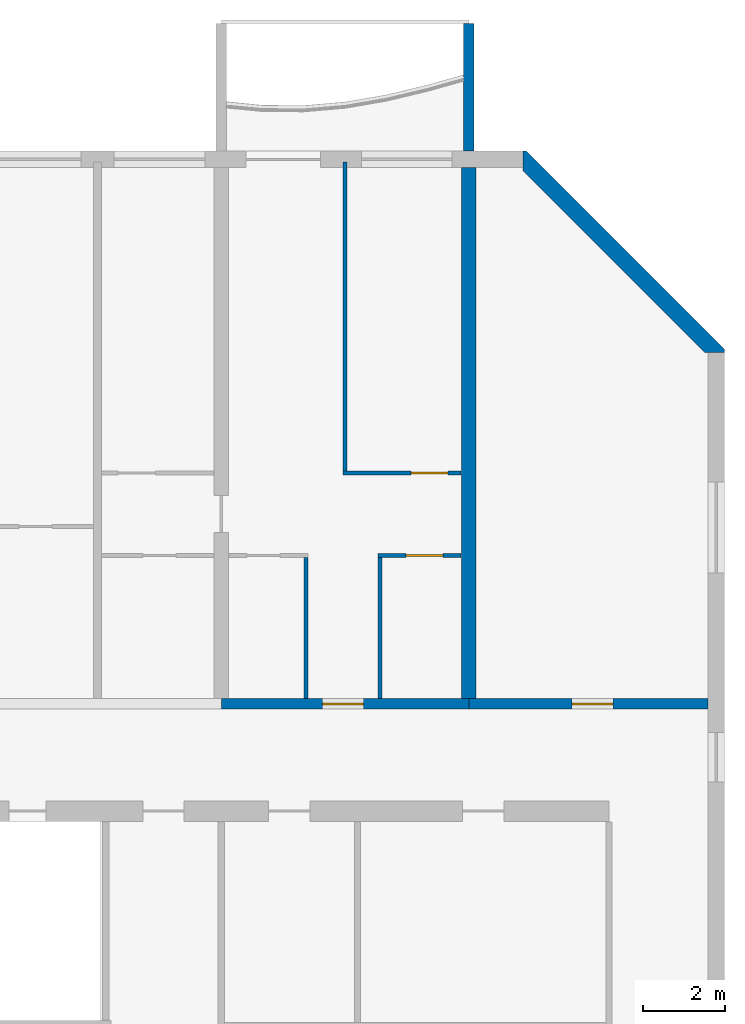
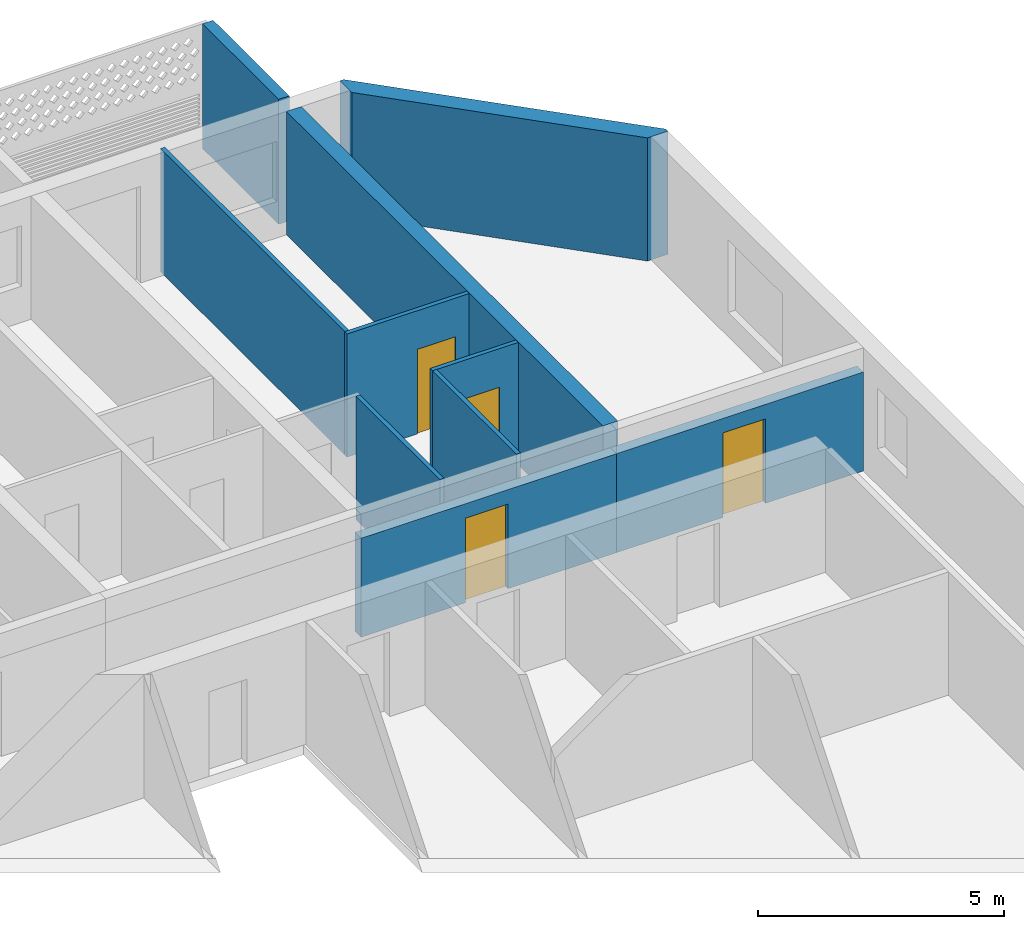
# One storey, part 16 of 25: 10 walls, 4 doors, 4 openings.
"""IFC4 building model written with IfcOpenShell, lengths in metres."""

import ifcopenshell
import ifcopenshell.guid

model = None  # the IFC model being written
_history = None  # IfcOwnerHistory: only IFC2X3 demands one
_inside = {}  # id of a spatial element -> (the spatial element, [elements in it])
_under = {}  # id of a project, library or spatial element -> (it, [spatial elements below it])
_declared = {}  # id of a project -> (the project, [libraries it declares])
_typed = {}  # id of a type object -> (the type object, [elements of that type])
_made_of = {}  # id of a material, layer set ... -> (it, [elements and type objects made of it])


def new_model(schema):
    """Start an empty IFC model of exactly this schema.

    Asked for "IFC4X3", IfcOpenShell would pick the latest addendum, in which some entities
    have other attributes; the version numbers below select the first issue.
    IFC2X3 requires an IfcOwnerHistory on every rooted entity: one is made here for all.
    """
    global model, _history
    if schema == "IFC4X3":
        model = ifcopenshell.file(schema_version=(4, 3, 0, 0))
    else:
        model = ifcopenshell.file(schema=schema)
    _inside.clear()
    _under.clear()
    _declared.clear()
    _typed.clear()
    _made_of.clear()
    _history = None
    if model.schema == "IFC2X3":
        org = make("IfcOrganization", Name="unknown")
        user = make(
            "IfcPersonAndOrganization",
            ThePerson=make("IfcPerson", FamilyName="unknown"),
            TheOrganization=org,
        )
        app = make(
            "IfcApplication",
            ApplicationDeveloper=org,
            Version="unknown",
            ApplicationFullName="unknown",
            ApplicationIdentifier="unknown",
        )
        _history = make(
            "IfcOwnerHistory",
            OwningUser=user,
            OwningApplication=app,
            ChangeAction="ADDED",
            CreationDate=0,
        )
    return model


def make(cls, **values):
    """One entity of the class cls with the attributes given. An attribute that is None is left unset."""
    return model.create_entity(
        cls, **{name: value for name, value in values.items() if value is not None}
    )


def rooted(cls, **values):
    """An entity with a GlobalId (a new one), such as an element, a storey or a relation."""
    return make(cls, GlobalId=ifcopenshell.guid.new(), OwnerHistory=_history, **values)


def si_unit(unit_type, name, prefix=None):
    """IfcSIUnit, for example si_unit("LENGTHUNIT", "METRE", prefix="MILLI")."""
    return make("IfcSIUnit", UnitType=unit_type, Prefix=prefix, Name=name)


def assignment(units):
    """IfcUnitAssignment: the units of a project."""
    return None if units is None else make("IfcUnitAssignment", Units=units)


def point(xyz):
    """IfcCartesianPoint."""
    return None if xyz is None else make("IfcCartesianPoint", Coordinates=xyz)


def direction(xyz):
    """IfcDirection."""
    return None if xyz is None else make("IfcDirection", DirectionRatios=xyz)


def frame(location, z_axis=None, x_axis=None):
    """IfcAxis2Placement3D, a coordinate frame: its origin and axes. An axis left out is left unset."""
    return make(
        "IfcAxis2Placement3D",
        Location=point(location),
        Axis=direction(z_axis),
        RefDirection=direction(x_axis),
    )


def frame_2d(location, x_axis=None):
    """IfcAxis2Placement2D, a coordinate frame in the plane: its origin and x axis."""
    return make(
        "IfcAxis2Placement2D", Location=point(location), RefDirection=direction(x_axis)
    )


def origin():
    """The frame at (0, 0, 0) with its axes left unset."""
    return frame((0.0, 0.0, 0.0))


def place(relative_to, where):
    """IfcLocalPlacement: puts the frame where relative to a parent placement (None: the world)."""
    return make(
        "IfcLocalPlacement", PlacementRelTo=relative_to, RelativePlacement=where
    )


def context(
    kind, dimensions, precision=None, world=None, true_north=None, identifier=None
):
    """IfcGeometricRepresentationContext, for example the 3D "Model" context."""
    return make(
        "IfcGeometricRepresentationContext",
        ContextIdentifier=identifier,
        ContextType=kind,
        CoordinateSpaceDimension=dimensions,
        Precision=precision,
        WorldCoordinateSystem=world,
        TrueNorth=true_north,
    )


def subcontext(parent, identifier, kind, view, scale=None):
    """IfcGeometricRepresentationSubContext, for example "Body" below "Model"."""
    return make(
        "IfcGeometricRepresentationSubContext",
        ContextIdentifier=identifier,
        ContextType=kind,
        ParentContext=parent,
        TargetScale=scale,
        TargetView=view,
    )


def project(units=None, contexts=None):
    """IfcProject with its units and contexts."""
    return rooted(
        "IfcProject",
        Name="project",
        RepresentationContexts=contexts,
        UnitsInContext=assignment(units),
    )


def spatial(cls, under=None, at=None, **own):
    """A site, building, storey or space (cls), placed at a placement, below another one or the project."""
    s = rooted(cls, ObjectPlacement=at, **own)
    if under is not None:
        _under.setdefault(under.id(), (under, []))[1].append(s)
    return s


def polyline(points):
    """IfcPolyline through the points."""
    return make("IfcPolyline", Points=[point(p) for p in points])


def profile(cls, at=None, kind="AREA", **sizes):
    """A parametric profile (cls). Its sizes go by their IFC names, for example OverallWidth=200.0."""
    return make(cls, ProfileType=kind, Position=at, **sizes)


def rectangle(**sizes):
    """IfcRectangleProfileDef."""
    return profile("IfcRectangleProfileDef", **sizes)


def outline(outer, holes=None, kind="AREA"):
    """IfcArbitraryClosedProfileDef: a profile drawn as a closed curve; with holes, ...WithVoids."""
    if holes is None:
        return make("IfcArbitraryClosedProfileDef", ProfileType=kind, OuterCurve=outer)
    return make(
        "IfcArbitraryProfileDefWithVoids",
        ProfileType=kind,
        OuterCurve=outer,
        InnerCurves=holes,
    )


def extrude(swept, where, along, depth):
    """IfcExtrudedAreaSolid: the profile swept, set in the frame where, extruded along a direction by depth."""
    return make(
        "IfcExtrudedAreaSolid",
        SweptArea=swept,
        Position=where,
        ExtrudedDirection=direction(along),
        Depth=depth,
    )


def shape(context_of_items, identifier, shape_type, items):
    """IfcShapeRepresentation: the items that make up one representation, for example the "Body"."""
    return make(
        "IfcShapeRepresentation",
        ContextOfItems=context_of_items,
        RepresentationIdentifier=identifier,
        RepresentationType=shape_type,
        Items=items,
    )


def source(mapping_origin, context_of_items, identifier, shape_type, items):
    """IfcRepresentationMap: a shape defined once, which mapped items show again and again."""
    return make(
        "IfcRepresentationMap",
        MappingOrigin=mapping_origin,
        MappedRepresentation=shape(context_of_items, identifier, shape_type, items),
    )


def transform(
    local_origin,
    x_axis=None,
    y_axis=None,
    z_axis=None,
    scale=None,
    scale2=None,
    scale3=None,
    uniform=True,
):
    """IfcCartesianTransformationOperator3D, or its non-uniform kind. x_axis, y_axis, z_axis: its Axis1, 2, 3."""
    if uniform:
        return make(
            "IfcCartesianTransformationOperator3D",
            Axis1=direction(x_axis),
            Axis2=direction(y_axis),
            LocalOrigin=point(local_origin),
            Scale=scale,
            Axis3=direction(z_axis),
        )
    return make(
        "IfcCartesianTransformationOperator3DnonUniform",
        Axis1=direction(x_axis),
        Axis2=direction(y_axis),
        LocalOrigin=point(local_origin),
        Scale=scale,
        Axis3=direction(z_axis),
        Scale2=scale2,
        Scale3=scale3,
    )


def mapped(mapping_source, mapping_target):
    """IfcMappedItem: shows the shape of a source again, moved by a transform."""
    return make(
        "IfcMappedItem", MappingSource=mapping_source, MappingTarget=mapping_target
    )


def material(Name=None, Category=None):
    """IfcMaterial."""
    return make("IfcMaterial", Name=Name, Category=Category)


def layer(
    of_material, thickness, ventilated=None, Name=None, Category=None, Priority=None
):
    """IfcMaterialLayer: one layer of a wall or slab, of a material (None: an air gap)."""
    return make(
        "IfcMaterialLayer",
        Material=of_material,
        LayerThickness=thickness,
        IsVentilated=ventilated,
        Name=Name,
        Category=Category,
        Priority=Priority,
    )


def layer_set(layers, Name=None):
    """IfcMaterialLayerSet."""
    return make("IfcMaterialLayerSet", MaterialLayers=layers, LayerSetName=Name)


def made_of(thing, what):
    """Note that an element or type object is made of a material, layer set ...; save() writes the relation."""
    if what is not None:
        _made_of.setdefault(what.id(), (what, []))[1].append(thing)
    return thing


def type_object(cls, material=None, **own):
    """A type object (cls), such as IfcWallType, which elements share."""
    return made_of(rooted(cls, **own), material)


def element(
    cls,
    number,
    at=None,
    inside=None,
    cuts=None,
    type_object=None,
    material=None,
    context=None,
    identifier="Body",
    shape_type=None,
    held_by="IfcProductDefinitionShape",
    body=None,
    shapes=None,
    **own,
):
    """One element of the class cls, such as IfcWall. Its Tag is "e" and its number.

    at: its placement. inside: the storey or other place that contains it. cuts: it is an
    opening in that element (IfcRelVoidsElement). A single representation is given by context,
    identifier, shape_type and body (its items); several are given by shapes. held_by: the class
    of the entity that holds the representations. save() writes the other relations.
    """
    e = rooted(cls, Tag="e%d" % number, ObjectPlacement=at, **own)
    if body is not None:
        shapes = [shape(context, identifier, shape_type, body)]
    if shapes is not None:
        e.Representation = make(held_by, Representations=shapes)
    if inside is not None:
        _inside.setdefault(inside.id(), (inside, []))[1].append(e)
    if cuts is not None:
        rooted(
            "IfcRelVoidsElement", RelatingBuildingElement=cuts, RelatedOpeningElement=e
        )
    if type_object is not None:
        _typed.setdefault(type_object.id(), (type_object, []))[1].append(e)
    return made_of(e, material)


def fill(opening, filler):
    """IfcRelFillsElement: the door or window that sits in an opening."""
    return rooted(
        "IfcRelFillsElement",
        RelatingOpeningElement=opening,
        RelatedBuildingElement=filler,
    )


def aggregate(whole, parts):
    """IfcRelAggregates: a whole, such as a stair, and the parts it consists of."""
    return rooted("IfcRelAggregates", RelatingObject=whole, RelatedObjects=parts)


def save(model, path):
    """Write the relations noted so far, then the file.

    IfcRelAggregates (storeys below a building ...), IfcRelContainedInSpatialStructure (elements
    in a storey), IfcRelDefinesByType, IfcRelAssociatesMaterial and IfcRelDeclares: one each for
    every whole, place, type object, material and project.
    """
    for whole, parts in _under.values():
        aggregate(whole, parts)
    for where, things in _inside.values():
        rooted(
            "IfcRelContainedInSpatialStructure",
            RelatedElements=things,
            RelatingStructure=where,
        )
    for kind, things in _typed.values():
        rooted("IfcRelDefinesByType", RelatedObjects=things, RelatingType=kind)
    for what, things in _made_of.values():
        rooted("IfcRelAssociatesMaterial", RelatedObjects=things, RelatingMaterial=what)
    for by, libraries in _declared.values():
        rooted("IfcRelDeclares", RelatingContext=by, RelatedDefinitions=libraries)
    model.write(path)


model = new_model("IFC4")

# Units and contexts
model_context = context("Model", 3, precision=1e-05, world=origin(), true_north=direction((0.0, 1.0)))
body_context = subcontext(model_context, "Body", "Model", "MODEL_VIEW")
ifc_project = project(units=[si_unit("LENGTHUNIT", "METRE"), si_unit("AREAUNIT", "SQUARE_METRE"), si_unit("VOLUMEUNIT", "CUBIC_METRE"), si_unit("PLANEANGLEUNIT", "RADIAN"), si_unit("MASSUNIT", "GRAM", prefix="KILO")], contexts=[model_context])

# Site, building, storey
site_placement = place(None, origin())
site = spatial("IfcSite", under=ifc_project, at=site_placement, CompositionType="ELEMENT")
building_placement = place(site_placement, origin())
building = spatial("IfcBuilding", under=site, at=building_placement, Name="Poui Terraces", CompositionType="ELEMENT")
storey_placement = place(building_placement, frame((0.0, 0.0, 89.39990234375)))
storey = spatial("IfcBuildingStorey", under=building, at=storey_placement, Name="L24", CompositionType="ELEMENT", Elevation=89.39990234375)

# Wall, opening, door
ifc_material_1 = material(Name="Concrete 65 MPa", Category="concrete")
ifc_layer_1 = layer(ifc_material_1, 0.25)
ifc_layer_set_1 = layer_set([ifc_layer_1], Name="Concrete 65 MPa")
wall_type_1 = type_object("IfcWallType", Name="CORRIDOR WALL 250 65MPa", PredefinedType="SHEAR", material=ifc_layer_set_1)
wall_1_placement = place(storey_placement, frame((84.0, 30.39990234375, 0.0), z_axis=(0.0, 0.0, 1.0), x_axis=(1.0, 0.0, 0.0)))
wall_1 = element("IfcWall", 1, at=wall_1_placement, inside=storey, type_object=wall_type_1, Name="CORRIDOR WALL LINE E BAY 14", PredefinedType="SHEAR", context=body_context, shape_type="SweptSolid", body=[
    extrude(rectangle(XDim=6.0, YDim=0.25, at=frame_2d((3.0, 0.0))), origin(), (0.0, 0.0, 1.0), 2.460205078125),
])
opening_1_placement = place(wall_1_placement, frame((2.449951171875, 0.0, 0.0)))
opening_1 = element("IfcOpeningElement", 2, at=opening_1_placement, cuts=wall_1, Name="Opening FD30S", PredefinedType="OPENING", context=body_context, shape_type="SweptSolid", body=[
    extrude(rectangle(XDim=1.0, YDim=2.10009765625, at=frame_2d((0.5, 1.050048828125))), frame((0.0, 0.135009765625, 0.0), z_axis=(0.0, -1.0, 0.0), x_axis=(1.0, 0.0, 0.0)), (0.0, 0.0, 1.0), 0.27001953125),
])
ifc_material_2 = material(Name="Steel fire door", Category="steel")
door_type_1 = type_object("IfcDoorType", Name="FLAT ENTRANCE DOOR 1000 X 2100", OperationType="NOTDEFINED", PredefinedType="DOOR", material=ifc_material_2)
door_1_placement = place(opening_1_placement, origin())
door_1 = element("IfcDoor", 3, at=door_1_placement, inside=storey, type_object=door_type_1, Name="FLAT ENTRANCE DOOR 081", OperationType="SINGLE_SWING_LEFT", OverallHeight=2.10009765625, OverallWidth=1.0, PredefinedType="DOOR", context=body_context, shape_type="SweptSolid", body=[
    extrude(rectangle(XDim=1.0, YDim=2.10009765625, at=frame_2d((0.5, 1.050048828125))), frame((0.0, 0.02490234375, 0.0), z_axis=(0.0, -1.0, 0.0), x_axis=(1.0, 0.0, 0.0)), (0.0, 0.0, 1.0), 0.050048828125),
])
fill(opening_1, door_1)

wall_2_placement = place(storey_placement, frame((90.0, 30.39990234375, 0.0), z_axis=(0.0, 0.0, 1.0), x_axis=(1.0, 0.0, 0.0)))
wall_2 = element("IfcWall", 4, at=wall_2_placement, inside=storey, type_object=wall_type_1, Name="CORRIDOR WALL LINE E BAY 15", PredefinedType="SHEAR", context=body_context, shape_type="SweptSolid", body=[
    extrude(rectangle(XDim=5.800048828125, YDim=0.25, at=frame_2d((2.89990234375, 0.0))), origin(), (0.0, 0.0, 1.0), 2.460205078125),
])
opening_2_placement = place(wall_2_placement, frame((2.5, 0.0, 0.0)))
opening_2 = element("IfcOpeningElement", 5, at=opening_2_placement, cuts=wall_2, Name="Opening D100", PredefinedType="OPENING", context=body_context, shape_type="SweptSolid", body=[
    extrude(rectangle(XDim=1.0, YDim=2.10009765625, at=frame_2d((0.5, 1.050048828125))), frame((0.0, 0.135009765625, 0.0), z_axis=(0.0, -1.0, 0.0), x_axis=(1.0, 0.0, 0.0)), (0.0, 0.0, 1.0), 0.27001953125),
])
ifc_material_3 = material(Name="Solid core timber door", Category="wood")
door_type_2 = type_object("IfcDoorType", Name="ACCESSIBLE INTERNAL DOOR 1000 X 2100", OperationType="NOTDEFINED", PredefinedType="DOOR", material=ifc_material_3)
door_2_placement = place(opening_2_placement, origin())
door_2 = element("IfcDoor", 6, at=door_2_placement, inside=storey, type_object=door_type_2, Name="ACCESSIBLE INTERNAL DOOR 084", OperationType="SINGLE_SWING_LEFT", OverallHeight=2.10009765625, OverallWidth=1.0, PredefinedType="DOOR", context=body_context, shape_type="SweptSolid", body=[
    extrude(rectangle(XDim=1.0, YDim=2.10009765625, at=frame_2d((0.5, 1.050048828125))), frame((0.0, 0.02490234375, 0.0), z_axis=(0.0, -1.0, 0.0), x_axis=(1.0, 0.0, 0.0)), (0.0, 0.0, 1.0), 0.050048828125),
])
fill(opening_2, door_2)

# Wall
ifc_layer_2 = layer(ifc_material_1, 0.35009765625)
ifc_layer_set_2 = layer_set([ifc_layer_2], Name="Concrete 65 MPa")
wall_type_2 = type_object("IfcWallType", Name="CROSS WALL 350 65MPa", PredefinedType="SHEAR", material=ifc_layer_set_2)
wall_3_placement = place(storey_placement, frame((90.0, 30.52490234375, 0.0), z_axis=(0.0, 0.0, 1.0), x_axis=(0.0, 1.0, 0.0)))
element("IfcWall", 7, at=wall_3_placement, inside=storey, type_object=wall_type_2, Name="CROSS WALL LINE 16 NORTH", PredefinedType="SHEAR", context=body_context, shape_type="SweptSolid", body=[
    extrude(rectangle(XDim=12.875, YDim=0.35009765625, at=frame_2d((6.4375, 0.0))), origin(), (0.0, 0.0, 1.0), 3.06005859375),
])

# Wall, opening, door
ifc_material_4 = material(Name="Plasterboard partition")
ifc_layer_3 = layer(ifc_material_4, 0.10009765625)
ifc_layer_set_3 = layer_set([ifc_layer_3], Name="Plasterboard partition")
wall_type_3 = type_object("IfcWallType", Name="FLAT PARTITION 100", PredefinedType="PARTITIONING", material=ifc_layer_set_3)
wall_4_placement = place(storey_placement, frame((87.800048828125, 34.0, 0.0), z_axis=(0.0, 0.0, 1.0), x_axis=(1.0, 0.0, 0.0)))
wall_4 = element("IfcWall", 8, at=wall_4_placement, inside=storey, type_object=wall_type_3, Name="FLAT PARTITION 100", PredefinedType="PARTITIONING", context=body_context, shape_type="SweptSolid", body=[
    extrude(rectangle(XDim=2.014892578125, YDim=0.10009765625, at=frame_2d((1.00732421875, 0.0))), origin(), (0.0, 0.0, 1.0), 3.06005859375),
])
opening_3_placement = place(wall_4_placement, frame((0.675048828125, 0.0, 0.0)))
opening_3 = element("IfcOpeningElement", 9, at=opening_3_placement, cuts=wall_4, Name="Opening D90", PredefinedType="OPENING", context=body_context, shape_type="SweptSolid", body=[
    extrude(rectangle(XDim=0.89990234375, YDim=2.10009765625, at=frame_2d((0.449951171875, 1.050048828125))), frame((0.0, 0.06005859375, 0.0), z_axis=(0.0, -1.0, 0.0), x_axis=(1.0, 0.0, 0.0)), (0.0, 0.0, 1.0), 0.1201171875),
])
door_type_3 = type_object("IfcDoorType", Name="INTERNAL DOOR 900 X 2100", OperationType="NOTDEFINED", PredefinedType="DOOR", material=ifc_material_3)
door_3_placement = place(opening_3_placement, frame((0.89990234375, 0.0, 0.0), z_axis=(0.0, 0.0, 1.0), x_axis=(-1.0, 0.0, 0.0)))
door_3 = element("IfcDoor", 10, at=door_3_placement, inside=storey, type_object=door_type_3, Name="INTERNAL DOOR 082", OperationType="SINGLE_SWING_LEFT", OverallHeight=2.10009765625, OverallWidth=0.89990234375, PredefinedType="DOOR", context=body_context, shape_type="SweptSolid", body=[
    extrude(rectangle(XDim=0.89990234375, YDim=2.10009765625, at=frame_2d((0.449951171875, 1.050048828125))), frame((0.0, 0.02490234375, 0.0), z_axis=(0.0, -1.0, 0.0), x_axis=(1.0, 0.0, 0.0)), (0.0, 0.0, 1.0), 0.050048828125),
])
fill(opening_3, door_3)

wall_5_placement = place(storey_placement, frame((86.949951171875, 36.0, 0.0), z_axis=(0.0, 0.0, 1.0), x_axis=(1.0, 0.0, 0.0)))
wall_5 = element("IfcWall", 11, at=wall_5_placement, inside=storey, type_object=wall_type_3, Name="FLAT PARTITION 100", PredefinedType="PARTITIONING", context=body_context, shape_type="SweptSolid", body=[
    extrude(rectangle(XDim=2.864990234375, YDim=0.10009765625, at=frame_2d((1.4326171875, 0.0))), origin(), (0.0, 0.0, 1.0), 3.06005859375),
])
opening_4_placement = place(wall_5_placement, frame((1.64990234375, 0.0, 0.0)))
opening_4 = element("IfcOpeningElement", 12, at=opening_4_placement, cuts=wall_5, Name="Opening D90", PredefinedType="OPENING", context=body_context, shape_type="SweptSolid", body=[
    extrude(rectangle(XDim=0.89990234375, YDim=2.10009765625, at=frame_2d((0.449951171875, 1.050048828125))), frame((0.0, 0.06005859375, 0.0), z_axis=(0.0, -1.0, 0.0), x_axis=(1.0, 0.0, 0.0)), (0.0, 0.0, 1.0), 0.1201171875),
])
door_4_placement = place(opening_4_placement, frame((0.89990234375, 0.0, 0.0), z_axis=(0.0, 0.0, 1.0), x_axis=(-1.0, 0.0, 0.0)))
door_4 = element("IfcDoor", 13, at=door_4_placement, inside=storey, type_object=door_type_3, Name="INTERNAL DOOR 083", OperationType="SINGLE_SWING_RIGHT", OverallHeight=2.10009765625, OverallWidth=0.89990234375, PredefinedType="DOOR", context=body_context, shape_type="SweptSolid", body=[
    extrude(rectangle(XDim=0.89990234375, YDim=2.10009765625, at=frame_2d((0.449951171875, 1.050048828125))), frame((0.0, 0.02490234375, 0.0), z_axis=(0.0, -1.0, 0.0), x_axis=(1.0, 0.0, 0.0)), (0.0, 0.0, 1.0), 0.050048828125),
])
fill(opening_4, door_4)

# Walls
wall_6_placement = place(storey_placement, frame((86.050048828125, 30.534912109375, 0.0), z_axis=(0.0, 0.0, 1.0), x_axis=(0.0, 1.0, 0.0)))
element("IfcWall", 14, at=wall_6_placement, inside=storey, type_object=wall_type_3, Name="FLAT PARTITION 100", PredefinedType="PARTITIONING", context=body_context, shape_type="SweptSolid", body=[
    extrude(rectangle(XDim=3.4150390625, YDim=0.10009765625, at=frame_2d((1.70751953125, 0.0))), origin(), (0.0, 0.0, 1.0), 3.06005859375),
])
wall_7_placement = place(storey_placement, frame((87.0, 36.050048828125, 0.0), z_axis=(0.0, 0.0, 1.0), x_axis=(0.0, 1.0, 0.0)))
element("IfcWall", 15, at=wall_7_placement, inside=storey, type_object=wall_type_3, Name="FLAT PARTITION 100", PredefinedType="PARTITIONING", context=body_context, shape_type="SweptSolid", body=[
    extrude(rectangle(XDim=7.489990234375, YDim=0.10009765625, at=frame_2d((3.7451171875, 0.0))), origin(), (0.0, 0.0, 1.0), 3.06005859375),
])
wall_8_placement = place(storey_placement, frame((87.85009765625, 30.534912109375, 0.0), z_axis=(0.0, 0.0, 1.0), x_axis=(0.0, 1.0, 0.0)))
element("IfcWall", 16, at=wall_8_placement, inside=storey, type_object=wall_type_3, Name="FLAT PARTITION 100", PredefinedType="PARTITIONING", context=body_context, shape_type="SweptSolid", body=[
    extrude(rectangle(XDim=3.4150390625, YDim=0.10009765625, at=frame_2d((1.70751953125, 0.0))), origin(), (0.0, 0.0, 1.0), 3.06005859375),
])
ifc_material_5 = material(Name="Precast concrete 40 MPa", Category="concrete")
ifc_layer_4 = layer(ifc_material_5, 0.39990234375)
ifc_layer_set_4 = layer_set([ifc_layer_4], Name="Precast concrete 40 MPa")
wall_type_4 = type_object("IfcWallType", Name="TERRACOTTA CLAD CHAMFER WALL 400", PredefinedType="STANDARD", material=ifc_layer_set_4)
wall_9_placement = place(storey_placement, origin())
element("IfcWall", 17, at=wall_9_placement, inside=storey, type_object=wall_type_4, Name="CHAMFER WALL CH03", PredefinedType="STANDARD", context=body_context, shape_type="SweptSolid", body=[
    extrude(outline(polyline([(96.199951171875, 38.917236328125), (96.199951171875, 39.0), (91.39990234375, 43.800048828125), (91.317138671875, 43.800048828125), (91.317138671875, 43.317138671875), (95.71728515625, 38.917236328125), (96.199951171875, 38.917236328125)])), origin(), (0.0, 0.0, 1.0), 3.06005859375),
])
ifc_layer_5 = layer(ifc_material_5, 0.25)
ifc_layer_set_5 = layer_set([ifc_layer_5], Name="Precast concrete 40 MPa")
wall_type_5 = type_object("IfcWallType", Name="BALCONY FIN 250", PredefinedType="STANDARD", material=ifc_layer_set_5)
shared_shape = source(origin(), body_context, "Body", "SweptSolid", [
    extrude(outline(polyline([(0.0, 0.0), (0.25, 0.0), (0.25, 3.099853515625), (0.0, 3.099853515625), (0.0, 0.0)])), origin(), (0.0, 0.0, 1.0), 3.10009765625),
])
wall_10_placement = place(storey_placement, frame((89.875, 43.800048828125, 0.0)))
element("IfcWall", 18, at=wall_10_placement, inside=storey, type_object=wall_type_5, Name="BALCONY FIN", PredefinedType="STANDARD", context=body_context, shape_type="MappedRepresentation", body=[
    mapped(shared_shape, transform((0.0, 0.0, 0.0))),
])

save(model, "model.ifc")
